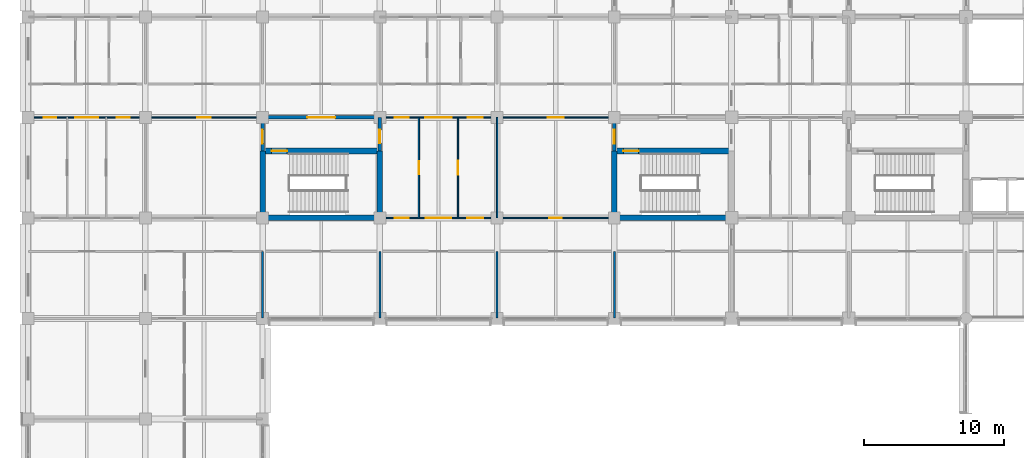
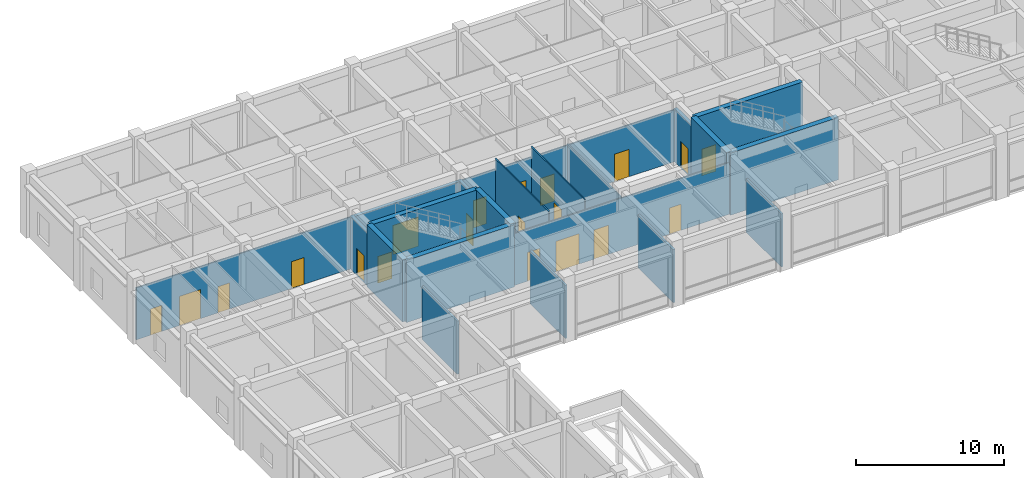
# One storey, part 41 of 68: 21 walls, 20 doors, 20 openings.
"""IFC4 building model written with IfcOpenShell, lengths in metres."""

from ifc_helpers import new_model, si_unit, direction, frame, frame_2d, origin, place, context, subcontext, project, spatial, rectangle, extrude, material, layer, layer_set, type_object, element, fill, save


model = new_model("IFC4")

# Units and contexts
model_context = context("Model", 3, precision=1e-05, world=origin(), true_north=direction((0.0, 1.0)))
body_context = subcontext(model_context, "Body", "Model", "MODEL_VIEW")
ifc_project = project(units=[si_unit("LENGTHUNIT", "METRE"), si_unit("AREAUNIT", "SQUARE_METRE"), si_unit("VOLUMEUNIT", "CUBIC_METRE"), si_unit("PLANEANGLEUNIT", "RADIAN"), si_unit("MASSUNIT", "GRAM", prefix="KILO")], contexts=[model_context])

# Site, building, storey
site_placement = place(None, origin())
site = spatial("IfcSite", under=ifc_project, at=site_placement, CompositionType="ELEMENT")
building_placement = place(site_placement, origin())
building = spatial("IfcBuilding", under=site, at=building_placement, Name="Chengyuan Square Courthouse", CompositionType="ELEMENT")
storey_placement = place(building_placement, frame((0.0, 0.0, 5.39990234375)))
storey = spatial("IfcBuildingStorey", under=building, at=storey_placement, Name="L02", CompositionType="ELEMENT", Elevation=5.39990234375)

# Wall, opening, door
ifc_material_1 = material(Name="Concrete C40", Category="concrete")
ifc_layer_1 = layer(ifc_material_1, 0.25)
ifc_layer_set_1 = layer_set([ifc_layer_1], Name="Concrete C40")
wall_type_1 = type_object("IfcWallType", Name="WL-FW1", PredefinedType="STANDARD", material=ifc_layer_set_1)
wall_1_placement = place(storey_placement, frame((16.800048828125, 93.60009765625, 0.0), z_axis=(0.0, 0.0, 1.0), x_axis=(1.0, 0.0, 0.0)))
wall_1 = element("IfcWall", 1, at=wall_1_placement, inside=storey, type_object=wall_type_1, Name="Interior Wall WL-L02-I1099", PredefinedType="STANDARD", context=body_context, shape_type="SweptSolid", body=[
    extrude(rectangle(XDim=8.39990234375, YDim=0.25, at=frame_2d((4.199951171875, 0.0))), origin(), (0.0, 0.0, 1.0), 4.27001953125),
])
opening_1_placement = place(wall_1_placement, frame((3.199951171875, 0.0, 0.0)))
opening_1 = element("IfcOpeningElement", 2, at=opening_1_placement, cuts=wall_1, Name="Opening DR-1033", PredefinedType="OPENING", context=body_context, shape_type="SweptSolid", body=[
    extrude(rectangle(XDim=2.0, YDim=2.39990234375, at=frame_2d((1.0, 1.199951171875))), frame((0.0, 0.136962890625, 0.0), z_axis=(0.0, -1.0, 0.0), x_axis=(1.0, 0.0, 0.0)), (0.0, 0.0, 1.0), 0.27392578125),
])
ifc_material_2 = material(Name="Steel Q235B Glazed Fire Door", Category="steel")
door_type_1 = type_object("IfcDoorType", Name="DT-20", OperationType="DOUBLE_DOOR_SINGLE_SWING", PredefinedType="DOOR", material=ifc_material_2)
door_1_placement = place(opening_1_placement, frame((2.0, 0.0, 0.0), z_axis=(0.0, 0.0, 1.0), x_axis=(-1.0, 0.0, 0.0)))
door_1 = element("IfcDoor", 3, at=door_1_placement, inside=storey, type_object=door_type_1, Name="Interior Door DR-1033", OperationType="DOUBLE_DOOR_SINGLE_SWING", OverallHeight=2.39990234375, OverallWidth=2.0, PredefinedType="DOOR", context=body_context, shape_type="SweptSolid", body=[
    extrude(rectangle(XDim=2.0, YDim=2.39990234375, at=frame_2d((1.0, 1.199951171875))), frame((0.0, 0.02490234375, 0.0), z_axis=(0.0, -1.0, 0.0), x_axis=(1.0, 0.0, 0.0)), (0.0, 0.0, 1.0), 0.050048828125),
])
fill(opening_1, door_1)

wall_2_placement = place(storey_placement, frame((16.800048828125, 91.199951171875, 0.0), z_axis=(0.0, 0.0, 1.0), x_axis=(0.0, 1.0, 0.0)))
wall_2 = element("IfcWall", 4, at=wall_2_placement, inside=storey, type_object=wall_type_1, Name="Interior Wall WL-L02-I1217", PredefinedType="STANDARD", context=body_context, shape_type="SweptSolid", body=[
    extrude(rectangle(XDim=2.400146484375, YDim=0.25, at=frame_2d((1.2001953125, 0.0))), origin(), (0.0, 0.0, 1.0), 4.3701171875),
])
opening_2_placement = place(wall_2_placement, frame((0.527587890625, 0.0, 0.0)))
opening_2 = element("IfcOpeningElement", 5, at=opening_2_placement, cuts=wall_2, Name="Opening DR-1034", PredefinedType="OPENING", context=body_context, shape_type="SweptSolid", body=[
    extrude(rectangle(XDim=1.0, YDim=2.199951171875, at=frame_2d((0.5, 1.10009765625))), frame((0.0, 0.136962890625, 0.0), z_axis=(0.0, -1.0, 0.0), x_axis=(1.0, 0.0, 0.0)), (0.0, 0.0, 1.0), 0.27392578125),
])
ifc_material_3 = material(Name="Steel Q235B Fire Door", Category="steel")
door_type_2 = type_object("IfcDoorType", Name="DT-11", OperationType="NOTDEFINED", PredefinedType="DOOR", material=ifc_material_3)
door_2_placement = place(opening_2_placement, origin())
door_2 = element("IfcDoor", 6, at=door_2_placement, inside=storey, type_object=door_type_2, Name="Interior Door DR-1034", OperationType="SINGLE_SWING_LEFT", OverallHeight=2.199951171875, OverallWidth=1.0, PredefinedType="DOOR", context=body_context, shape_type="SweptSolid", body=[
    extrude(rectangle(XDim=1.0, YDim=2.199951171875, at=frame_2d((0.5, 1.10009765625))), frame((0.0, 0.02490234375, 0.0), z_axis=(0.0, -1.0, 0.0), x_axis=(1.0, 0.0, 0.0)), (0.0, 0.0, 1.0), 0.050048828125),
])
fill(opening_2, door_2)

wall_3_placement = place(storey_placement, frame((25.199951171875, 91.199951171875, 0.0), z_axis=(0.0, 0.0, 1.0), x_axis=(0.0, 1.0, 0.0)))
wall_3 = element("IfcWall", 7, at=wall_3_placement, inside=storey, type_object=wall_type_1, Name="Interior Wall WL-L02-I1222", PredefinedType="STANDARD", context=body_context, shape_type="SweptSolid", body=[
    extrude(rectangle(XDim=2.400146484375, YDim=0.25, at=frame_2d((1.2001953125, 0.0))), origin(), (0.0, 0.0, 1.0), 4.3701171875),
])
opening_3_placement = place(wall_3_placement, frame((0.552490234375, 0.0, 0.0)))
opening_3 = element("IfcOpeningElement", 8, at=opening_3_placement, cuts=wall_3, Name="Opening DR-1035", PredefinedType="OPENING", context=body_context, shape_type="SweptSolid", body=[
    extrude(rectangle(XDim=0.949951171875, YDim=2.14990234375, at=frame_2d((0.47509765625, 1.074951171875))), frame((0.0, 0.136962890625, 0.0), z_axis=(0.0, -1.0, 0.0), x_axis=(1.0, 0.0, 0.0)), (0.0, 0.0, 1.0), 0.27392578125),
])
door_type_3 = type_object("IfcDoorType", Name="DT-12", OperationType="NOTDEFINED", PredefinedType="DOOR", material=ifc_material_3)
door_3_placement = place(opening_3_placement, origin())
door_3 = element("IfcDoor", 9, at=door_3_placement, inside=storey, type_object=door_type_3, Name="Interior Door DR-1035", OperationType="SINGLE_SWING_RIGHT", OverallHeight=2.14990234375, OverallWidth=0.949951171875, PredefinedType="DOOR", context=body_context, shape_type="SweptSolid", body=[
    extrude(rectangle(XDim=0.949951171875, YDim=2.14990234375, at=frame_2d((0.47509765625, 1.074951171875))), frame((0.0, 0.02490234375, 0.0), z_axis=(0.0, -1.0, 0.0), x_axis=(1.0, 0.0, 0.0)), (0.0, 0.0, 1.0), 0.050048828125),
])
fill(opening_3, door_3)

wall_4_placement = place(storey_placement, frame((42.0, 91.199951171875, 0.0), z_axis=(0.0, 0.0, 1.0), x_axis=(0.0, 1.0, 0.0)))
wall_4 = element("IfcWall", 10, at=wall_4_placement, inside=storey, type_object=wall_type_1, Name="Interior Wall WL-L02-I1235", PredefinedType="STANDARD", context=body_context, shape_type="SweptSolid", body=[
    extrude(rectangle(XDim=2.400146484375, YDim=0.25, at=frame_2d((1.2001953125, 0.0))), origin(), (0.0, 0.0, 1.0), 4.3701171875),
])
opening_4_placement = place(wall_4_placement, frame((0.527587890625, 0.0, 0.0)))
opening_4 = element("IfcOpeningElement", 11, at=opening_4_placement, cuts=wall_4, Name="Opening DR-1022", PredefinedType="OPENING", context=body_context, shape_type="SweptSolid", body=[
    extrude(rectangle(XDim=1.0, YDim=2.199951171875, at=frame_2d((0.5, 1.10009765625))), frame((0.0, 0.136962890625, 0.0), z_axis=(0.0, -1.0, 0.0), x_axis=(1.0, 0.0, 0.0)), (0.0, 0.0, 1.0), 0.27392578125),
])
door_4_placement = place(opening_4_placement, origin())
door_4 = element("IfcDoor", 12, at=door_4_placement, inside=storey, type_object=door_type_2, Name="Interior Door DR-1022", OperationType="SINGLE_SWING_LEFT", OverallHeight=2.199951171875, OverallWidth=1.0, PredefinedType="DOOR", context=body_context, shape_type="SweptSolid", body=[
    extrude(rectangle(XDim=1.0, YDim=2.199951171875, at=frame_2d((0.5, 1.10009765625))), frame((0.0, 0.02490234375, 0.0), z_axis=(0.0, -1.0, 0.0), x_axis=(1.0, 0.0, 0.0)), (0.0, 0.0, 1.0), 0.050048828125),
])
fill(opening_4, door_4)

# Walls
ifc_material_4 = material(Name="Deliberation Room Sound-Insulated Partition")
ifc_layer_2 = layer(ifc_material_4, 0.14990234375)
ifc_layer_set_2 = layer_set([ifc_layer_2], Name="Deliberation Room Sound-Insulated Partition")
wall_type_2 = type_object("IfcWallType", Name="WL-PT3", PredefinedType="STANDARD", material=ifc_layer_set_2)
for number, where, z_axis, x_axis, name in (
    (13, (16.800048828125, 79.239990234375, 0.0), (0.0, 0.0, 1.0), (0.0, 1.0, 0.0), "Interior Wall WL-L02-I1215"),
    (14, (25.199951171875, 79.239990234375, 0.0), (0.0, 0.0, 1.0), (0.0, 1.0, 0.0), "Interior Wall WL-L02-I1220"),
    (15, (33.60009765625, 79.239990234375, 0.0), (0.0, 0.0, 1.0), (0.0, 1.0, 0.0), "Interior Wall WL-L02-I1229"),
    (16, (42.0, 79.239990234375, 0.0), (0.0, 0.0, 1.0), (0.0, 1.0, 0.0), "Interior Wall WL-L02-I1233"),
):
    element("IfcWall", number, at=place(storey_placement, frame(where, z_axis=z_axis, x_axis=x_axis)), inside=storey, type_object=wall_type_2, Name=name, PredefinedType="STANDARD", context=body_context, shape_type="SweptSolid", body=[
        extrude(rectangle(XDim=4.760009765625, YDim=0.14990234375, at=frame_2d((2.3798828125, 0.0))), origin(), (0.0, 0.0, 1.0), 4.3701171875),
    ])

# Wall, openings, doors
ifc_material_5 = material(Name="Gypsum Plasterboard Acoustic Stud Partition")
ifc_layer_3 = layer(ifc_material_5, 0.10009765625)
ifc_layer_set_3 = layer_set([ifc_layer_3], Name="Gypsum Plasterboard Acoustic Stud Partition")
wall_type_3 = type_object("IfcWallType", Name="WL-PT6", PredefinedType="STANDARD", material=ifc_layer_set_3)
wall_5_placement = place(storey_placement, frame((25.199951171875, 86.39990234375, 0.0), z_axis=(0.0, 0.0, 1.0), x_axis=(1.0, 0.0, 0.0)))
wall_5 = element("IfcWall", 17, at=wall_5_placement, inside=storey, type_object=wall_type_3, Name="Interior Wall WL-L02-I1069", PredefinedType="STANDARD", context=body_context, shape_type="SweptSolid", body=[
    extrude(rectangle(XDim=16.800048828125, YDim=0.10009765625, at=frame_2d((8.39990234375, 0.0))), origin(), (0.0, 0.0, 1.0), 4.27001953125),
])
opening_5_placement = place(wall_5_placement, frame((1.08251953125, 0.0, 0.0)))
opening_5 = element("IfcOpeningElement", 18, at=opening_5_placement, cuts=wall_5, Name="Opening DR-1184", PredefinedType="OPENING", context=body_context, shape_type="SweptSolid", body=[
    extrude(rectangle(XDim=0.97998046875, YDim=2.35009765625, at=frame_2d((0.489990234375, 1.175048828125))), frame((0.0, 0.06201171875, 0.0), z_axis=(0.0, -1.0, 0.0), x_axis=(1.0, 0.0, 0.0)), (0.0, 0.0, 1.0), 0.1240234375),
])
opening_6_placement = place(wall_5_placement, frame((3.300048828125, 0.0, 0.0)))
opening_6 = element("IfcOpeningElement", 19, at=opening_6_placement, cuts=wall_5, Name="Opening DR-1186", PredefinedType="OPENING", context=body_context, shape_type="SweptSolid", body=[
    extrude(rectangle(XDim=1.800048828125, YDim=2.5, at=frame_2d((0.89990234375, 1.25))), frame((0.0, 0.06201171875, 0.0), z_axis=(0.0, -1.0, 0.0), x_axis=(1.0, 0.0, 0.0)), (0.0, 0.0, 1.0), 0.1240234375),
])
opening_7_placement = place(wall_5_placement, frame((6.257568359375, 0.0, 0.0)))
opening_7 = element("IfcOpeningElement", 20, at=opening_7_placement, cuts=wall_5, Name="Opening DR-1187", PredefinedType="OPENING", context=body_context, shape_type="SweptSolid", body=[
    extrude(rectangle(XDim=1.139892578125, YDim=2.39990234375, at=frame_2d((0.56982421875, 1.199951171875))), frame((0.0, 0.06201171875, 0.0), z_axis=(0.0, -1.0, 0.0), x_axis=(1.0, 0.0, 0.0)), (0.0, 0.0, 1.0), 0.1240234375),
])
opening_8_placement = place(wall_5_placement, frame((12.14990234375, 0.0, 0.0)))
opening_8 = element("IfcOpeningElement", 21, at=opening_8_placement, cuts=wall_5, Name="Opening DR-1188", PredefinedType="OPENING", context=body_context, shape_type="SweptSolid", body=[
    extrude(rectangle(XDim=0.89990234375, YDim=2.14990234375, at=frame_2d((0.449951171875, 1.074951171875))), frame((0.0, 0.06201171875, 0.0), z_axis=(0.0, -1.0, 0.0), x_axis=(1.0, 0.0, 0.0)), (0.0, 0.0, 1.0), 0.1240234375),
])
ifc_material_6 = material(Name="Acoustic Larch Veneer Double Door")
door_type_4 = type_object("IfcDoorType", Name="DT-21", OperationType="DOUBLE_DOOR_SINGLE_SWING", PredefinedType="DOOR", material=ifc_material_6)
door_5_placement = place(opening_6_placement, frame((1.800048828125, 0.0, 0.0), z_axis=(0.0, 0.0, 1.0), x_axis=(-1.0, 0.0, 0.0)))
door_5 = element("IfcDoor", 22, at=door_5_placement, inside=storey, type_object=door_type_4, Name="Interior Door DR-1186", OperationType="DOUBLE_DOOR_SINGLE_SWING", OverallHeight=2.5, OverallWidth=1.800048828125, PredefinedType="DOOR", context=body_context, shape_type="SweptSolid", body=[
    extrude(rectangle(XDim=1.800048828125, YDim=2.5, at=frame_2d((0.89990234375, 1.25))), frame((0.0, 0.02490234375, 0.0), z_axis=(0.0, -1.0, 0.0), x_axis=(1.0, 0.0, 0.0)), (0.0, 0.0, 1.0), 0.050048828125),
])
fill(opening_6, door_5)
ifc_material_7 = material(Name="Acoustic Solid-Core Timber Door", Category="wood")
door_type_5 = type_object("IfcDoorType", Name="DT-27", OperationType="NOTDEFINED", PredefinedType="DOOR", material=ifc_material_7)
door_6_placement = place(opening_8_placement, origin())
door_6 = element("IfcDoor", 23, at=door_6_placement, inside=storey, type_object=door_type_5, Name="Interior Door DR-1188", OperationType="SINGLE_SWING_LEFT", OverallHeight=2.14990234375, OverallWidth=0.89990234375, PredefinedType="DOOR", context=body_context, shape_type="SweptSolid", body=[
    extrude(rectangle(XDim=0.89990234375, YDim=2.14990234375, at=frame_2d((0.449951171875, 1.074951171875))), frame((0.0, 0.02490234375, 0.0), z_axis=(0.0, -1.0, 0.0), x_axis=(1.0, 0.0, 0.0)), (0.0, 0.0, 1.0), 0.050048828125),
])
fill(opening_8, door_6)
door_type_6 = type_object("IfcDoorType", Name="DT-40", OperationType="NOTDEFINED", PredefinedType="DOOR", material=ifc_material_7)
door_7_placement = place(opening_5_placement, origin())
door_7 = element("IfcDoor", 24, at=door_7_placement, inside=storey, type_object=door_type_6, Name="Interior Door DR-1184", OperationType="SINGLE_SWING_RIGHT", OverallHeight=2.35009765625, OverallWidth=0.97998046875, PredefinedType="DOOR", context=body_context, shape_type="SweptSolid", body=[
    extrude(rectangle(XDim=0.97998046875, YDim=2.35009765625, at=frame_2d((0.489990234375, 1.175048828125))), frame((0.0, 0.02490234375, 0.0), z_axis=(0.0, -1.0, 0.0), x_axis=(1.0, 0.0, 0.0)), (0.0, 0.0, 1.0), 0.050048828125),
])
fill(opening_5, door_7)
door_type_7 = type_object("IfcDoorType", Name="DT-43", OperationType="NOTDEFINED", PredefinedType="DOOR", material=ifc_material_7)
door_8_placement = place(opening_7_placement, origin())
door_8 = element("IfcDoor", 25, at=door_8_placement, inside=storey, type_object=door_type_7, Name="Interior Door DR-1187", OperationType="SINGLE_SWING_RIGHT", OverallHeight=2.39990234375, OverallWidth=1.139892578125, PredefinedType="DOOR", context=body_context, shape_type="SweptSolid", body=[
    extrude(rectangle(XDim=1.139892578125, YDim=2.39990234375, at=frame_2d((0.56982421875, 1.199951171875))), frame((0.0, 0.02490234375, 0.0), z_axis=(0.0, -1.0, 0.0), x_axis=(1.0, 0.0, 0.0)), (0.0, 0.0, 1.0), 0.050048828125),
])
fill(opening_7, door_8)

wall_6_placement = place(storey_placement, frame((0.0400390625, 93.60009765625, 0.0), z_axis=(0.0, 0.0, 1.0), x_axis=(1.0, 0.0, 0.0)))
wall_6 = element("IfcWall", 26, at=wall_6_placement, inside=storey, type_object=wall_type_3, Name="Interior Wall WL-L02-I1098", PredefinedType="STANDARD", context=body_context, shape_type="SweptSolid", body=[
    extrude(rectangle(XDim=16.760009765625, YDim=0.10009765625, at=frame_2d((8.3798828125, 0.0))), origin(), (0.0, 0.0, 1.0), 4.27001953125),
])
opening_9_placement = place(wall_6_placement, frame((1.08251953125, 0.0, 0.0)))
opening_9 = element("IfcOpeningElement", 27, at=opening_9_placement, cuts=wall_6, Name="Opening DR-1120", PredefinedType="OPENING", context=body_context, shape_type="SweptSolid", body=[
    extrude(rectangle(XDim=0.89990234375, YDim=2.14990234375, at=frame_2d((0.449951171875, 1.074951171875))), frame((0.0, 0.06201171875, 0.0), z_axis=(0.0, -1.0, 0.0), x_axis=(1.0, 0.0, 0.0)), (0.0, 0.0, 1.0), 0.1240234375),
])
opening_10_placement = place(wall_6_placement, frame((3.3349609375, 0.0, 0.0)))
opening_10 = element("IfcOpeningElement", 28, at=opening_10_placement, cuts=wall_6, Name="Opening DR-1121", PredefinedType="OPENING", context=body_context, shape_type="SweptSolid", body=[
    extrude(rectangle(XDim=1.64990234375, YDim=2.39990234375, at=frame_2d((0.824951171875, 1.199951171875))), frame((0.0, 0.06201171875, 0.0), z_axis=(0.0, -1.0, 0.0), x_axis=(1.0, 0.0, 0.0)), (0.0, 0.0, 1.0), 0.1240234375),
])
opening_11_placement = place(wall_6_placement, frame((6.327392578125, 0.0, 0.0)))
opening_11 = element("IfcOpeningElement", 29, at=opening_11_placement, cuts=wall_6, Name="Opening DR-1122", PredefinedType="OPENING", context=body_context, shape_type="SweptSolid", body=[
    extrude(rectangle(XDim=0.919921875, YDim=2.14990234375, at=frame_2d((0.4599609375, 1.074951171875))), frame((0.0, 0.06201171875, 0.0), z_axis=(0.0, -1.0, 0.0), x_axis=(1.0, 0.0, 0.0)), (0.0, 0.0, 1.0), 0.1240234375),
])
opening_12_placement = place(wall_6_placement, frame((12.080078125, 0.0, 0.0)))
opening_12 = element("IfcOpeningElement", 30, at=opening_12_placement, cuts=wall_6, Name="Opening DR-1123", PredefinedType="OPENING", context=body_context, shape_type="SweptSolid", body=[
    extrude(rectangle(XDim=0.9599609375, YDim=2.199951171875, at=frame_2d((0.47998046875, 1.10009765625))), frame((0.0, 0.06201171875, 0.0), z_axis=(0.0, -1.0, 0.0), x_axis=(1.0, 0.0, 0.0)), (0.0, 0.0, 1.0), 0.1240234375),
])
door_type_8 = type_object("IfcDoorType", Name="DT-22", OperationType="DOUBLE_DOOR_SINGLE_SWING", PredefinedType="DOOR", material=ifc_material_6)
door_9_placement = place(opening_10_placement, frame((1.64990234375, 0.0, 0.0), z_axis=(0.0, 0.0, 1.0), x_axis=(-1.0, 0.0, 0.0)))
door_9 = element("IfcDoor", 31, at=door_9_placement, inside=storey, type_object=door_type_8, Name="Interior Door DR-1121", OperationType="DOUBLE_DOOR_SINGLE_SWING", OverallHeight=2.39990234375, OverallWidth=1.64990234375, PredefinedType="DOOR", context=body_context, shape_type="SweptSolid", body=[
    extrude(rectangle(XDim=1.64990234375, YDim=2.39990234375, at=frame_2d((0.824951171875, 1.199951171875))), frame((0.0, 0.02490234375, 0.0), z_axis=(0.0, -1.0, 0.0), x_axis=(1.0, 0.0, 0.0)), (0.0, 0.0, 1.0), 0.050048828125),
])
fill(opening_10, door_9)
door_10_placement = place(opening_9_placement, origin())
door_10 = element("IfcDoor", 32, at=door_10_placement, inside=storey, type_object=door_type_5, Name="Interior Door DR-1120", OperationType="SINGLE_SWING_RIGHT", OverallHeight=2.14990234375, OverallWidth=0.89990234375, PredefinedType="DOOR", context=body_context, shape_type="SweptSolid", body=[
    extrude(rectangle(XDim=0.89990234375, YDim=2.14990234375, at=frame_2d((0.449951171875, 1.074951171875))), frame((0.0, 0.02490234375, 0.0), z_axis=(0.0, -1.0, 0.0), x_axis=(1.0, 0.0, 0.0)), (0.0, 0.0, 1.0), 0.050048828125),
])
fill(opening_9, door_10)
door_type_9 = type_object("IfcDoorType", Name="DT-29", OperationType="NOTDEFINED", PredefinedType="DOOR", material=ifc_material_7)
door_11_placement = place(opening_11_placement, origin())
door_11 = element("IfcDoor", 33, at=door_11_placement, inside=storey, type_object=door_type_9, Name="Interior Door DR-1122", OperationType="SINGLE_SWING_LEFT", OverallHeight=2.14990234375, OverallWidth=0.919921875, PredefinedType="DOOR", context=body_context, shape_type="SweptSolid", body=[
    extrude(rectangle(XDim=0.919921875, YDim=2.14990234375, at=frame_2d((0.4599609375, 1.074951171875))), frame((0.0, 0.02490234375, 0.0), z_axis=(0.0, -1.0, 0.0), x_axis=(1.0, 0.0, 0.0)), (0.0, 0.0, 1.0), 0.050048828125),
])
fill(opening_11, door_11)
door_type_10 = type_object("IfcDoorType", Name="DT-30", OperationType="NOTDEFINED", PredefinedType="DOOR", material=ifc_material_7)
door_12_placement = place(opening_12_placement, origin())
door_12 = element("IfcDoor", 34, at=door_12_placement, inside=storey, type_object=door_type_10, Name="Interior Door DR-1123", OperationType="SINGLE_SWING_RIGHT", OverallHeight=2.199951171875, OverallWidth=0.9599609375, PredefinedType="DOOR", context=body_context, shape_type="SweptSolid", body=[
    extrude(rectangle(XDim=0.9599609375, YDim=2.199951171875, at=frame_2d((0.47998046875, 1.10009765625))), frame((0.0, 0.02490234375, 0.0), z_axis=(0.0, -1.0, 0.0), x_axis=(1.0, 0.0, 0.0)), (0.0, 0.0, 1.0), 0.050048828125),
])
fill(opening_12, door_12)

wall_7_placement = place(storey_placement, frame((25.199951171875, 93.60009765625, 0.0), z_axis=(0.0, 0.0, 1.0), x_axis=(1.0, 0.0, 0.0)))
wall_7 = element("IfcWall", 35, at=wall_7_placement, inside=storey, type_object=wall_type_3, Name="Interior Wall WL-L02-I1100", PredefinedType="STANDARD", context=body_context, shape_type="SweptSolid", body=[
    extrude(rectangle(XDim=16.800048828125, YDim=0.10009765625, at=frame_2d((8.39990234375, 0.0))), origin(), (0.0, 0.0, 1.0), 4.27001953125),
])
opening_13_placement = place(wall_7_placement, frame((1.072509765625, 0.0, 0.0)))
opening_13 = element("IfcOpeningElement", 36, at=opening_13_placement, cuts=wall_7, Name="Opening DR-1124", PredefinedType="OPENING", context=body_context, shape_type="SweptSolid", body=[
    extrude(rectangle(XDim=1.0, YDim=2.25, at=frame_2d((0.5, 1.125))), frame((0.0, 0.06201171875, 0.0), z_axis=(0.0, -1.0, 0.0), x_axis=(1.0, 0.0, 0.0)), (0.0, 0.0, 1.0), 0.1240234375),
])
opening_14_placement = place(wall_7_placement, frame((3.25, 0.0, 0.0)))
opening_14 = element("IfcOpeningElement", 37, at=opening_14_placement, cuts=wall_7, Name="Opening DR-1125", PredefinedType="OPENING", context=body_context, shape_type="SweptSolid", body=[
    extrude(rectangle(XDim=1.89990234375, YDim=2.5, at=frame_2d((0.949951171875, 1.25))), frame((0.0, 0.06201171875, 0.0), z_axis=(0.0, -1.0, 0.0), x_axis=(1.0, 0.0, 0.0)), (0.0, 0.0, 1.0), 0.1240234375),
])
opening_15_placement = place(wall_7_placement, frame((6.28759765625, 0.0, 0.0)))
opening_15 = element("IfcOpeningElement", 38, at=opening_15_placement, cuts=wall_7, Name="Opening DR-1126", PredefinedType="OPENING", context=body_context, shape_type="SweptSolid", body=[
    extrude(rectangle(XDim=1.080078125, YDim=2.25, at=frame_2d((0.5400390625, 1.125))), frame((0.0, 0.06201171875, 0.0), z_axis=(0.0, -1.0, 0.0), x_axis=(1.0, 0.0, 0.0)), (0.0, 0.0, 1.0), 0.1240234375),
])
opening_16_placement = place(wall_7_placement, frame((12.0400390625, 0.0, 0.0)))
opening_16 = element("IfcOpeningElement", 39, at=opening_16_placement, cuts=wall_7, Name="Opening DR-1127", PredefinedType="OPENING", context=body_context, shape_type="SweptSolid", body=[
    extrude(rectangle(XDim=1.1201171875, YDim=2.25, at=frame_2d((0.56005859375, 1.125))), frame((0.0, 0.06201171875, 0.0), z_axis=(0.0, -1.0, 0.0), x_axis=(1.0, 0.0, 0.0)), (0.0, 0.0, 1.0), 0.1240234375),
])
door_type_11 = type_object("IfcDoorType", Name="DT-26", OperationType="DOUBLE_DOOR_SINGLE_SWING", PredefinedType="DOOR", material=ifc_material_6)
door_13_placement = place(opening_14_placement, frame((1.89990234375, 0.0, 0.0), z_axis=(0.0, 0.0, 1.0), x_axis=(-1.0, 0.0, 0.0)))
door_13 = element("IfcDoor", 40, at=door_13_placement, inside=storey, type_object=door_type_11, Name="Interior Door DR-1125", OperationType="DOUBLE_DOOR_SINGLE_SWING", OverallHeight=2.5, OverallWidth=1.89990234375, PredefinedType="DOOR", context=body_context, shape_type="SweptSolid", body=[
    extrude(rectangle(XDim=1.89990234375, YDim=2.5, at=frame_2d((0.949951171875, 1.25))), frame((0.0, 0.02490234375, 0.0), z_axis=(0.0, -1.0, 0.0), x_axis=(1.0, 0.0, 0.0)), (0.0, 0.0, 1.0), 0.050048828125),
])
fill(opening_14, door_13)
door_type_12 = type_object("IfcDoorType", Name="DT-31", OperationType="NOTDEFINED", PredefinedType="DOOR", material=ifc_material_7)
door_14_placement = place(opening_13_placement, origin())
door_14 = element("IfcDoor", 41, at=door_14_placement, inside=storey, type_object=door_type_12, Name="Interior Door DR-1124", OperationType="SINGLE_SWING_LEFT", OverallHeight=2.25, OverallWidth=1.0, PredefinedType="DOOR", context=body_context, shape_type="SweptSolid", body=[
    extrude(rectangle(XDim=1.0, YDim=2.25, at=frame_2d((0.5, 1.125))), frame((0.0, 0.02490234375, 0.0), z_axis=(0.0, -1.0, 0.0), x_axis=(1.0, 0.0, 0.0)), (0.0, 0.0, 1.0), 0.050048828125),
])
fill(opening_13, door_14)
door_type_13 = type_object("IfcDoorType", Name="DT-33", OperationType="NOTDEFINED", PredefinedType="DOOR", material=ifc_material_7)
door_15_placement = place(opening_15_placement, origin())
door_15 = element("IfcDoor", 42, at=door_15_placement, inside=storey, type_object=door_type_13, Name="Interior Door DR-1126", OperationType="SINGLE_SWING_RIGHT", OverallHeight=2.25, OverallWidth=1.080078125, PredefinedType="DOOR", context=body_context, shape_type="SweptSolid", body=[
    extrude(rectangle(XDim=1.080078125, YDim=2.25, at=frame_2d((0.5400390625, 1.125))), frame((0.0, 0.02490234375, 0.0), z_axis=(0.0, -1.0, 0.0), x_axis=(1.0, 0.0, 0.0)), (0.0, 0.0, 1.0), 0.050048828125),
])
fill(opening_15, door_15)
door_type_14 = type_object("IfcDoorType", Name="DT-34", OperationType="NOTDEFINED", PredefinedType="DOOR", material=ifc_material_7)
door_16_placement = place(opening_16_placement, origin())
door_16 = element("IfcDoor", 43, at=door_16_placement, inside=storey, type_object=door_type_14, Name="Interior Door DR-1127", OperationType="SINGLE_SWING_LEFT", OverallHeight=2.25, OverallWidth=1.1201171875, PredefinedType="DOOR", context=body_context, shape_type="SweptSolid", body=[
    extrude(rectangle(XDim=1.1201171875, YDim=2.25, at=frame_2d((0.56005859375, 1.125))), frame((0.0, 0.02490234375, 0.0), z_axis=(0.0, -1.0, 0.0), x_axis=(1.0, 0.0, 0.0)), (0.0, 0.0, 1.0), 0.050048828125),
])
fill(opening_16, door_16)

# Wall, opening, door
wall_8_placement = place(storey_placement, frame((28.0, 86.39990234375, 0.0), z_axis=(0.0, 0.0, 1.0), x_axis=(0.0, 1.0, 0.0)))
wall_8 = element("IfcWall", 44, at=wall_8_placement, inside=storey, type_object=wall_type_3, Name="Interior Wall WL-L02-I1225", PredefinedType="STANDARD", context=body_context, shape_type="SweptSolid", body=[
    extrude(rectangle(XDim=7.2001953125, YDim=0.10009765625, at=frame_2d((3.60009765625, 0.0))), origin(), (0.0, 0.0, 1.0), 5.1201171875),
])
opening_17_placement = place(wall_8_placement, frame((3.1298828125, 0.0, 0.0)))
opening_17 = element("IfcOpeningElement", 45, at=opening_17_placement, cuts=wall_8, Name="Opening DR-1183", PredefinedType="OPENING", context=body_context, shape_type="SweptSolid", body=[
    extrude(rectangle(XDim=0.93994140625, YDim=2.300048828125, at=frame_2d((0.469970703125, 1.14990234375))), frame((0.0, 0.06201171875, 0.0), z_axis=(0.0, -1.0, 0.0), x_axis=(1.0, 0.0, 0.0)), (0.0, 0.0, 1.0), 0.1240234375),
])
door_type_15 = type_object("IfcDoorType", Name="DT-39", OperationType="NOTDEFINED", PredefinedType="DOOR", material=ifc_material_7)
door_17_placement = place(opening_17_placement, origin())
door_17 = element("IfcDoor", 46, at=door_17_placement, inside=storey, type_object=door_type_15, Name="Interior Door DR-1183", OperationType="SINGLE_SWING_LEFT", OverallHeight=2.300048828125, OverallWidth=0.93994140625, PredefinedType="DOOR", context=body_context, shape_type="SweptSolid", body=[
    extrude(rectangle(XDim=0.93994140625, YDim=2.300048828125, at=frame_2d((0.469970703125, 1.14990234375))), frame((0.0, 0.02490234375, 0.0), z_axis=(0.0, -1.0, 0.0), x_axis=(1.0, 0.0, 0.0)), (0.0, 0.0, 1.0), 0.050048828125),
])
fill(opening_17, door_17)

wall_9_placement = place(storey_placement, frame((30.800048828125, 86.39990234375, 0.0), z_axis=(0.0, 0.0, 1.0), x_axis=(0.0, 1.0, 0.0)))
wall_9 = element("IfcWall", 47, at=wall_9_placement, inside=storey, type_object=wall_type_3, Name="Interior Wall WL-L02-I1227", PredefinedType="STANDARD", context=body_context, shape_type="SweptSolid", body=[
    extrude(rectangle(XDim=7.2001953125, YDim=0.10009765625, at=frame_2d((3.60009765625, 0.0))), origin(), (0.0, 0.0, 1.0), 5.1201171875),
])
opening_18_placement = place(wall_9_placement, frame((3.090087890625, 0.0, 0.0)))
opening_18 = element("IfcOpeningElement", 48, at=opening_18_placement, cuts=wall_9, Name="Opening DR-1185", PredefinedType="OPENING", context=body_context, shape_type="SweptSolid", body=[
    extrude(rectangle(XDim=1.02001953125, YDim=2.39990234375, at=frame_2d((0.510009765625, 1.199951171875))), frame((0.0, 0.06201171875, 0.0), z_axis=(0.0, -1.0, 0.0), x_axis=(1.0, 0.0, 0.0)), (0.0, 0.0, 1.0), 0.1240234375),
])
door_type_16 = type_object("IfcDoorType", Name="DT-41", OperationType="NOTDEFINED", PredefinedType="DOOR", material=ifc_material_7)
door_18_placement = place(opening_18_placement, origin())
door_18 = element("IfcDoor", 49, at=door_18_placement, inside=storey, type_object=door_type_16, Name="Interior Door DR-1185", OperationType="SINGLE_SWING_LEFT", OverallHeight=2.39990234375, OverallWidth=1.02001953125, PredefinedType="DOOR", context=body_context, shape_type="SweptSolid", body=[
    extrude(rectangle(XDim=1.02001953125, YDim=2.39990234375, at=frame_2d((0.510009765625, 1.199951171875))), frame((0.0, 0.02490234375, 0.0), z_axis=(0.0, -1.0, 0.0), x_axis=(1.0, 0.0, 0.0)), (0.0, 0.0, 1.0), 0.050048828125),
])
fill(opening_18, door_18)

# Walls
wall_10_placement = place(storey_placement, frame((33.60009765625, 86.39990234375, 0.0), z_axis=(0.0, 0.0, 1.0), x_axis=(0.0, 1.0, 0.0)))
element("IfcWall", 50, at=wall_10_placement, inside=storey, type_object=wall_type_3, Name="Interior Wall WL-L02-I1230", PredefinedType="STANDARD", context=body_context, shape_type="SweptSolid", body=[
    extrude(rectangle(XDim=7.2001953125, YDim=0.10009765625, at=frame_2d((3.60009765625, 0.0))), origin(), (0.0, 0.0, 1.0), 4.3701171875),
])
ifc_material_8 = material(Name="Concrete C50", Category="concrete")
ifc_layer_4 = layer(ifc_material_8, 0.39990234375)
ifc_layer_set_4 = layer_set([ifc_layer_4], Name="Concrete C50")
wall_type_4 = type_object("IfcWallType", Name="WL-SW1", PredefinedType="SHEAR", material=ifc_layer_set_4)
for number, where, z_axis, x_axis, name in (
    (51, (16.800048828125, 86.39990234375, 0.0), (0.0, 0.0, 1.0), (1.0, 0.0, 0.0), "Interior Wall WL-L02-I1068"),
    (52, (42.0, 86.39990234375, 0.0), (0.0, 0.0, 1.0), (1.0, 0.0, 0.0), "Interior Wall WL-L02-I1070"),
):
    element("IfcWall", number, at=place(storey_placement, frame(where, z_axis=z_axis, x_axis=x_axis)), inside=storey, type_object=wall_type_4, Name=name, PredefinedType="SHEAR", context=body_context, shape_type="SweptSolid", body=[
        extrude(rectangle(XDim=8.39990234375, YDim=0.39990234375, at=frame_2d((4.199951171875, 0.0))), origin(), (0.0, 0.0, 1.0), 5.1201171875),
    ])

# Wall, opening, door
wall_11_placement = place(storey_placement, frame((16.800048828125, 91.199951171875, 0.0), z_axis=(0.0, 0.0, 1.0), x_axis=(1.0, 0.0, 0.0)))
wall_11 = element("IfcWall", 53, at=wall_11_placement, inside=storey, type_object=wall_type_4, Name="Interior Wall WL-L02-I1091", PredefinedType="SHEAR", context=body_context, shape_type="SweptSolid", body=[
    extrude(rectangle(XDim=8.39990234375, YDim=0.39990234375, at=frame_2d((4.199951171875, 0.0))), origin(), (0.0, 0.0, 1.0), 5.1201171875),
])
opening_19_placement = place(wall_11_placement, frame((0.64990234375, 0.0, 0.0)))
opening_19 = element("IfcOpeningElement", 54, at=opening_19_placement, cuts=wall_11, Name="Opening DR-1007", PredefinedType="OPENING", context=body_context, shape_type="SweptSolid", body=[
    extrude(rectangle(XDim=1.10009765625, YDim=2.199951171875, at=frame_2d((0.550048828125, 1.10009765625))), frame((0.0, 0.2119140625, 0.0), z_axis=(0.0, -1.0, 0.0), x_axis=(1.0, 0.0, 0.0)), (0.0, 0.0, 1.0), 0.423828125),
])
door_type_17 = type_object("IfcDoorType", Name="DT-10", OperationType="NOTDEFINED", PredefinedType="DOOR", material=ifc_material_3)
door_19_placement = place(opening_19_placement, frame((1.10009765625, 0.0, 0.0), z_axis=(0.0, 0.0, 1.0), x_axis=(-1.0, 0.0, 0.0)))
door_19 = element("IfcDoor", 55, at=door_19_placement, inside=storey, type_object=door_type_17, Name="Smoke-Proof Stairwell Fire Door ST-9 DR-1007", OperationType="SINGLE_SWING_LEFT", OverallHeight=2.199951171875, OverallWidth=1.10009765625, PredefinedType="DOOR", context=body_context, shape_type="SweptSolid", body=[
    extrude(rectangle(XDim=1.10009765625, YDim=2.199951171875, at=frame_2d((0.550048828125, 1.10009765625))), frame((0.0, 0.02490234375, 0.0), z_axis=(0.0, -1.0, 0.0), x_axis=(1.0, 0.0, 0.0)), (0.0, 0.0, 1.0), 0.050048828125),
])
fill(opening_19, door_19)

wall_12_placement = place(storey_placement, frame((42.0, 91.199951171875, 0.0), z_axis=(0.0, 0.0, 1.0), x_axis=(1.0, 0.0, 0.0)))
wall_12 = element("IfcWall", 56, at=wall_12_placement, inside=storey, type_object=wall_type_4, Name="Interior Wall WL-L02-I1092", PredefinedType="SHEAR", context=body_context, shape_type="SweptSolid", body=[
    extrude(rectangle(XDim=8.39990234375, YDim=0.39990234375, at=frame_2d((4.199951171875, 0.0))), origin(), (0.0, 0.0, 1.0), 5.1201171875),
])
opening_20_placement = place(wall_12_placement, frame((0.64990234375, 0.0, 0.0)))
opening_20 = element("IfcOpeningElement", 57, at=opening_20_placement, cuts=wall_12, Name="Opening DR-1003", PredefinedType="OPENING", context=body_context, shape_type="SweptSolid", body=[
    extrude(rectangle(XDim=1.10009765625, YDim=2.199951171875, at=frame_2d((0.550048828125, 1.10009765625))), frame((0.0, 0.2119140625, 0.0), z_axis=(0.0, -1.0, 0.0), x_axis=(1.0, 0.0, 0.0)), (0.0, 0.0, 1.0), 0.423828125),
])
door_20_placement = place(opening_20_placement, frame((1.10009765625, 0.0, 0.0), z_axis=(0.0, 0.0, 1.0), x_axis=(-1.0, 0.0, 0.0)))
door_20 = element("IfcDoor", 58, at=door_20_placement, inside=storey, type_object=door_type_17, Name="Smoke-Proof Stairwell Fire Door ST-5 DR-1003", OperationType="SINGLE_SWING_LEFT", OverallHeight=2.199951171875, OverallWidth=1.10009765625, PredefinedType="DOOR", context=body_context, shape_type="SweptSolid", body=[
    extrude(rectangle(XDim=1.10009765625, YDim=2.199951171875, at=frame_2d((0.550048828125, 1.10009765625))), frame((0.0, 0.02490234375, 0.0), z_axis=(0.0, -1.0, 0.0), x_axis=(1.0, 0.0, 0.0)), (0.0, 0.0, 1.0), 0.050048828125),
])
fill(opening_20, door_20)

# Walls
for number, where, z_axis, x_axis, name in (
    (59, (16.800048828125, 86.39990234375, 0.0), (0.0, 0.0, 1.0), (0.0, 1.0, 0.0), "Interior Wall WL-L02-I1216"),
    (60, (25.199951171875, 86.39990234375, 0.0), (0.0, 0.0, 1.0), (0.0, 1.0, 0.0), "Interior Wall WL-L02-I1221"),
    (61, (42.0, 86.39990234375, 0.0), (0.0, 0.0, 1.0), (0.0, 1.0, 0.0), "Interior Wall WL-L02-I1234"),
):
    element("IfcWall", number, at=place(storey_placement, frame(where, z_axis=z_axis, x_axis=x_axis)), inside=storey, type_object=wall_type_4, Name=name, PredefinedType="SHEAR", context=body_context, shape_type="SweptSolid", body=[
        extrude(rectangle(XDim=4.800048828125, YDim=0.39990234375, at=frame_2d((2.39990234375, 0.0))), origin(), (0.0, 0.0, 1.0), 5.1201171875),
    ])

save(model, "model.ifc")
